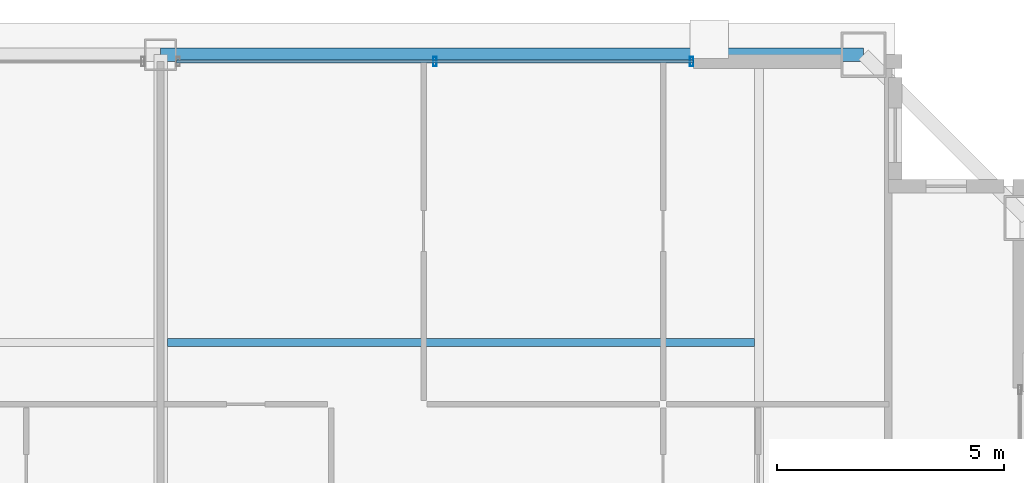
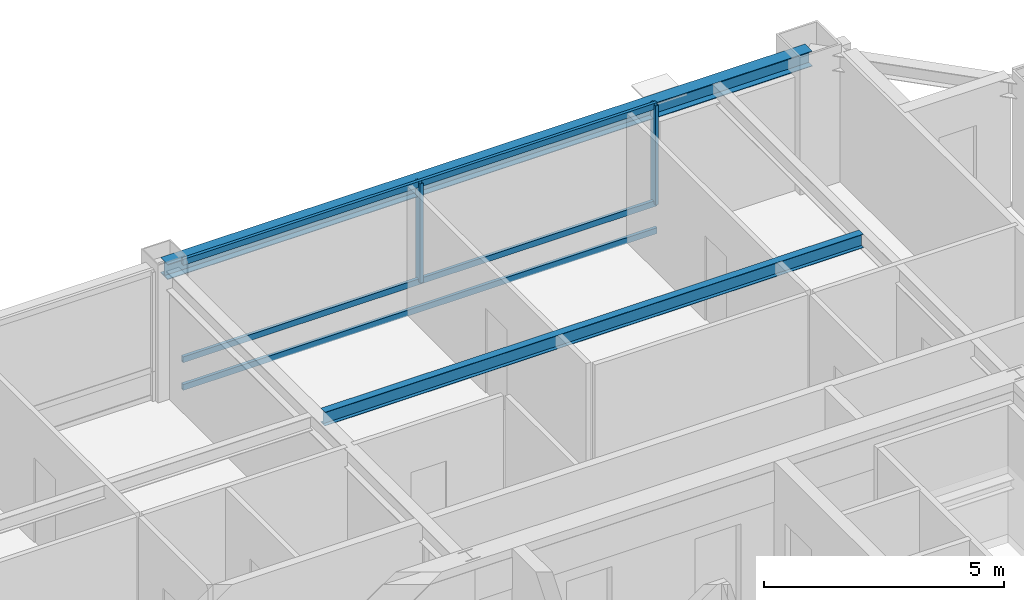
# One storey, part 19 of 35: 5 members, 2 beams, 1 element without a shape of its own.
"""IFC4 building model written with IfcOpenShell, lengths in metres."""

import ifcopenshell
import ifcopenshell.guid

model = None  # the IFC model being written
_history = None  # IfcOwnerHistory: only IFC2X3 demands one
_inside = {}  # id of a spatial element -> (the spatial element, [elements in it])
_under = {}  # id of a project, library or spatial element -> (it, [spatial elements below it])
_declared = {}  # id of a project -> (the project, [libraries it declares])
_typed = {}  # id of a type object -> (the type object, [elements of that type])
_made_of = {}  # id of a material, layer set ... -> (it, [elements and type objects made of it])


def new_model(schema):
    """Start an empty IFC model of exactly this schema.

    Asked for "IFC4X3", IfcOpenShell would pick the latest addendum, in which some entities
    have other attributes; the version numbers below select the first issue.
    IFC2X3 requires an IfcOwnerHistory on every rooted entity: one is made here for all.
    """
    global model, _history
    if schema == "IFC4X3":
        model = ifcopenshell.file(schema_version=(4, 3, 0, 0))
    else:
        model = ifcopenshell.file(schema=schema)
    _inside.clear()
    _under.clear()
    _declared.clear()
    _typed.clear()
    _made_of.clear()
    _history = None
    if model.schema == "IFC2X3":
        org = make("IfcOrganization", Name="unknown")
        user = make(
            "IfcPersonAndOrganization",
            ThePerson=make("IfcPerson", FamilyName="unknown"),
            TheOrganization=org,
        )
        app = make(
            "IfcApplication",
            ApplicationDeveloper=org,
            Version="unknown",
            ApplicationFullName="unknown",
            ApplicationIdentifier="unknown",
        )
        _history = make(
            "IfcOwnerHistory",
            OwningUser=user,
            OwningApplication=app,
            ChangeAction="ADDED",
            CreationDate=0,
        )
    return model


def make(cls, **values):
    """One entity of the class cls with the attributes given. An attribute that is None is left unset."""
    return model.create_entity(
        cls, **{name: value for name, value in values.items() if value is not None}
    )


def rooted(cls, **values):
    """An entity with a GlobalId (a new one), such as an element, a storey or a relation."""
    return make(cls, GlobalId=ifcopenshell.guid.new(), OwnerHistory=_history, **values)


def si_unit(unit_type, name, prefix=None):
    """IfcSIUnit, for example si_unit("LENGTHUNIT", "METRE", prefix="MILLI")."""
    return make("IfcSIUnit", UnitType=unit_type, Prefix=prefix, Name=name)


def assignment(units):
    """IfcUnitAssignment: the units of a project."""
    return None if units is None else make("IfcUnitAssignment", Units=units)


def point(xyz):
    """IfcCartesianPoint."""
    return None if xyz is None else make("IfcCartesianPoint", Coordinates=xyz)


def direction(xyz):
    """IfcDirection."""
    return None if xyz is None else make("IfcDirection", DirectionRatios=xyz)


def frame(location, z_axis=None, x_axis=None):
    """IfcAxis2Placement3D, a coordinate frame: its origin and axes. An axis left out is left unset."""
    return make(
        "IfcAxis2Placement3D",
        Location=point(location),
        Axis=direction(z_axis),
        RefDirection=direction(x_axis),
    )


def frame_2d(location, x_axis=None):
    """IfcAxis2Placement2D, a coordinate frame in the plane: its origin and x axis."""
    return make(
        "IfcAxis2Placement2D", Location=point(location), RefDirection=direction(x_axis)
    )


def origin():
    """The frame at (0, 0, 0) with its axes left unset."""
    return frame((0.0, 0.0, 0.0))


def origin_2d():
    """The frame at (0, 0) in the plane with its x axis left unset."""
    return frame_2d((0.0, 0.0))


def place(relative_to, where):
    """IfcLocalPlacement: puts the frame where relative to a parent placement (None: the world)."""
    return make(
        "IfcLocalPlacement", PlacementRelTo=relative_to, RelativePlacement=where
    )


def context(
    kind, dimensions, precision=None, world=None, true_north=None, identifier=None
):
    """IfcGeometricRepresentationContext, for example the 3D "Model" context."""
    return make(
        "IfcGeometricRepresentationContext",
        ContextIdentifier=identifier,
        ContextType=kind,
        CoordinateSpaceDimension=dimensions,
        Precision=precision,
        WorldCoordinateSystem=world,
        TrueNorth=true_north,
    )


def subcontext(parent, identifier, kind, view, scale=None):
    """IfcGeometricRepresentationSubContext, for example "Body" below "Model"."""
    return make(
        "IfcGeometricRepresentationSubContext",
        ContextIdentifier=identifier,
        ContextType=kind,
        ParentContext=parent,
        TargetScale=scale,
        TargetView=view,
    )


def project(units=None, contexts=None):
    """IfcProject with its units and contexts."""
    return rooted(
        "IfcProject",
        Name="project",
        RepresentationContexts=contexts,
        UnitsInContext=assignment(units),
    )


def spatial(cls, under=None, at=None, **own):
    """A site, building, storey or space (cls), placed at a placement, below another one or the project."""
    s = rooted(cls, ObjectPlacement=at, **own)
    if under is not None:
        _under.setdefault(under.id(), (under, []))[1].append(s)
    return s


def profile(cls, at=None, kind="AREA", **sizes):
    """A parametric profile (cls). Its sizes go by their IFC names, for example OverallWidth=200.0."""
    return make(cls, ProfileType=kind, Position=at, **sizes)


def hollow_rectangle(**sizes):
    """IfcRectangleHollowProfileDef."""
    return profile("IfcRectangleHollowProfileDef", **sizes)


def i_section(**sizes):
    """IfcIShapeProfileDef."""
    return profile("IfcIShapeProfileDef", **sizes)


def extrude(swept, where, along, depth):
    """IfcExtrudedAreaSolid: the profile swept, set in the frame where, extruded along a direction by depth."""
    return make(
        "IfcExtrudedAreaSolid",
        SweptArea=swept,
        Position=where,
        ExtrudedDirection=direction(along),
        Depth=depth,
    )


def shape(context_of_items, identifier, shape_type, items):
    """IfcShapeRepresentation: the items that make up one representation, for example the "Body"."""
    return make(
        "IfcShapeRepresentation",
        ContextOfItems=context_of_items,
        RepresentationIdentifier=identifier,
        RepresentationType=shape_type,
        Items=items,
    )


def source(mapping_origin, context_of_items, identifier, shape_type, items):
    """IfcRepresentationMap: a shape defined once, which mapped items show again and again."""
    return make(
        "IfcRepresentationMap",
        MappingOrigin=mapping_origin,
        MappedRepresentation=shape(context_of_items, identifier, shape_type, items),
    )


def transform(
    local_origin,
    x_axis=None,
    y_axis=None,
    z_axis=None,
    scale=None,
    scale2=None,
    scale3=None,
    uniform=True,
):
    """IfcCartesianTransformationOperator3D, or its non-uniform kind. x_axis, y_axis, z_axis: its Axis1, 2, 3."""
    if uniform:
        return make(
            "IfcCartesianTransformationOperator3D",
            Axis1=direction(x_axis),
            Axis2=direction(y_axis),
            LocalOrigin=point(local_origin),
            Scale=scale,
            Axis3=direction(z_axis),
        )
    return make(
        "IfcCartesianTransformationOperator3DnonUniform",
        Axis1=direction(x_axis),
        Axis2=direction(y_axis),
        LocalOrigin=point(local_origin),
        Scale=scale,
        Axis3=direction(z_axis),
        Scale2=scale2,
        Scale3=scale3,
    )


def mapped(mapping_source, mapping_target):
    """IfcMappedItem: shows the shape of a source again, moved by a transform."""
    return make(
        "IfcMappedItem", MappingSource=mapping_source, MappingTarget=mapping_target
    )


def material(Name=None, Category=None):
    """IfcMaterial."""
    return make("IfcMaterial", Name=Name, Category=Category)


def layer(
    of_material, thickness, ventilated=None, Name=None, Category=None, Priority=None
):
    """IfcMaterialLayer: one layer of a wall or slab, of a material (None: an air gap)."""
    return make(
        "IfcMaterialLayer",
        Material=of_material,
        LayerThickness=thickness,
        IsVentilated=ventilated,
        Name=Name,
        Category=Category,
        Priority=Priority,
    )


def layer_set(layers, Name=None):
    """IfcMaterialLayerSet."""
    return make("IfcMaterialLayerSet", MaterialLayers=layers, LayerSetName=Name)


def material_profile(
    of_material, cross_section, Name=None, Category=None, Priority=None
):
    """IfcMaterialProfile: a cross section and its material."""
    return make(
        "IfcMaterialProfile",
        Name=Name,
        Material=of_material,
        Profile=cross_section,
        Priority=Priority,
        Category=Category,
    )


def profile_set(profiles, Name=None, composite=None):
    """IfcMaterialProfileSet."""
    return make(
        "IfcMaterialProfileSet",
        Name=Name,
        MaterialProfiles=profiles,
        CompositeProfile=composite,
    )


def made_of(thing, what):
    """Note that an element or type object is made of a material, layer set ...; save() writes the relation."""
    if what is not None:
        _made_of.setdefault(what.id(), (what, []))[1].append(thing)
    return thing


def type_object(cls, material=None, **own):
    """A type object (cls), such as IfcWallType, which elements share."""
    return made_of(rooted(cls, **own), material)


def element(
    cls,
    number,
    at=None,
    inside=None,
    cuts=None,
    type_object=None,
    material=None,
    context=None,
    identifier="Body",
    shape_type=None,
    held_by="IfcProductDefinitionShape",
    body=None,
    shapes=None,
    **own,
):
    """One element of the class cls, such as IfcWall. Its Tag is "e" and its number.

    at: its placement. inside: the storey or other place that contains it. cuts: it is an
    opening in that element (IfcRelVoidsElement). A single representation is given by context,
    identifier, shape_type and body (its items); several are given by shapes. held_by: the class
    of the entity that holds the representations. save() writes the other relations.
    """
    e = rooted(cls, Tag="e%d" % number, ObjectPlacement=at, **own)
    if body is not None:
        shapes = [shape(context, identifier, shape_type, body)]
    if shapes is not None:
        e.Representation = make(held_by, Representations=shapes)
    if inside is not None:
        _inside.setdefault(inside.id(), (inside, []))[1].append(e)
    if cuts is not None:
        rooted(
            "IfcRelVoidsElement", RelatingBuildingElement=cuts, RelatedOpeningElement=e
        )
    if type_object is not None:
        _typed.setdefault(type_object.id(), (type_object, []))[1].append(e)
    return made_of(e, material)


def aggregate(whole, parts):
    """IfcRelAggregates: a whole, such as a stair, and the parts it consists of."""
    return rooted("IfcRelAggregates", RelatingObject=whole, RelatedObjects=parts)


def save(model, path):
    """Write the relations noted so far, then the file.

    IfcRelAggregates (storeys below a building ...), IfcRelContainedInSpatialStructure (elements
    in a storey), IfcRelDefinesByType, IfcRelAssociatesMaterial and IfcRelDeclares: one each for
    every whole, place, type object, material and project.
    """
    for whole, parts in _under.values():
        aggregate(whole, parts)
    for where, things in _inside.values():
        rooted(
            "IfcRelContainedInSpatialStructure",
            RelatedElements=things,
            RelatingStructure=where,
        )
    for kind, things in _typed.values():
        rooted("IfcRelDefinesByType", RelatedObjects=things, RelatingType=kind)
    for what, things in _made_of.values():
        rooted("IfcRelAssociatesMaterial", RelatedObjects=things, RelatingMaterial=what)
    for by, libraries in _declared.values():
        rooted("IfcRelDeclares", RelatingContext=by, RelatedDefinitions=libraries)
    model.write(path)


model = new_model("IFC4")

# Units and contexts
model_context = context("Model", 3, precision=1e-05, world=origin(), true_north=direction((0.0, 1.0)))
body_context = subcontext(model_context, "Body", "Model", "MODEL_VIEW")
ifc_project = project(units=[si_unit("LENGTHUNIT", "METRE"), si_unit("AREAUNIT", "SQUARE_METRE"), si_unit("VOLUMEUNIT", "CUBIC_METRE"), si_unit("PLANEANGLEUNIT", "RADIAN"), si_unit("MASSUNIT", "GRAM", prefix="KILO"), si_unit("THERMODYNAMICTEMPERATUREUNIT", "KELVIN"), si_unit("POWERUNIT", "WATT")], contexts=[model_context])

# Site, building, storey
site_placement = place(None, origin())
site = spatial("IfcSite", under=ifc_project, at=site_placement, CompositionType="ELEMENT")
building_placement = place(site_placement, origin())
building = spatial("IfcBuilding", under=site, at=building_placement, Name="Yuzanri Waterfront Tower", CompositionType="ELEMENT")
storey_placement = place(building_placement, frame((0.0, 0.0, 311.199951171875)))
storey = spatial("IfcBuildingStorey", under=building, at=storey_placement, Name="L83", CompositionType="ELEMENT", Elevation=311.199951171875)

# Beams
ifc_material_1 = material(Name="Steel Q355B", Category="steel")
ifc_material_profile_1 = material_profile(ifc_material_1, i_section(OverallWidth=0.175048828125, OverallDepth=0.35009765625, WebThickness=0.007080078125, FlangeThickness=0.010986328125, at=origin_2d()), Name="HN 350x175x7x11")
ifc_profile_set_1 = profile_set([ifc_material_profile_1], Name="Steel Q355B")
beam_type_1 = type_object("IfcBeamType", Name="Floor Joist Q355B HN 350x175", PredefinedType="JOIST", material=ifc_profile_set_1)
shared_shape_1 = source(origin(), body_context, "Body", "SweptSolid", [
    extrude(i_section(OverallWidth=0.175048828125, OverallDepth=0.35009765625, WebThickness=0.007080078125, FlangeThickness=0.010986328125, at=origin_2d()), origin(), (0.0, 0.0, 1.0), 12.9501953125),
])
beam_1_placement = place(storey_placement, frame((37.14990234375, 38.550048828125, 3.10498046875), z_axis=(1.0, 0.0, 0.0), x_axis=(0.0, 1.0, 0.0)))
element("IfcBeam", 1, at=beam_1_placement, inside=storey, type_object=beam_type_1, Name="L83 North Bay Joist E", PredefinedType="JOIST", context=body_context, shape_type="MappedRepresentation", body=[
    mapped(shared_shape_1, transform((0.0, 0.0, 0.0), scale=1.0)),
])
ifc_material_2 = material(Name="Steel Q355B", Category="steel")
ifc_material_profile_2 = material_profile(ifc_material_2, i_section(OverallWidth=0.300048828125, OverallDepth=0.389892578125, WebThickness=0.010009765625, FlangeThickness=0.01611328125, at=origin_2d()), Name="HM 390x300x10x16")
ifc_profile_set_2 = profile_set([ifc_material_profile_2], Name="Steel Q355B")
beam_type_2 = type_object("IfcBeamType", Name="Perimeter Spandrel Q355B HM 390x300", PredefinedType="SPANDREL", material=ifc_profile_set_2)
shared_shape_2 = source(origin(), body_context, "Body", "SweptSolid", [
    extrude(i_section(OverallWidth=0.300048828125, OverallDepth=0.389892578125, WebThickness=0.010009765625, FlangeThickness=0.01611328125, at=origin_2d()), origin(), (0.0, 0.0, 1.0), 15.5),
])
beam_2_placement = place(storey_placement, frame((52.5, 44.89990234375, 3.0849609375), z_axis=(-1.0, 0.0, 0.0), x_axis=(0.0, -1.0, 0.0)))
element("IfcBeam", 2, at=beam_2_placement, inside=storey, type_object=beam_type_2, Name="L83 Perimeter Spandrel N3-N2", PredefinedType="SPANDREL", context=body_context, shape_type="MappedRepresentation", body=[
    mapped(shared_shape_2, transform((0.0, 0.0, 0.0), scale=1.0)),
])

# Curtain wall, members
ifc_material_3 = material(Name="Anodized Architectural Bronze", Category="metal")
ifc_layer = layer(ifc_material_3, 0.159912109375)
ifc_layer_set = layer_set([ifc_layer], Name="Anodized Architectural Bronze")
curtain_wall_type = type_object("IfcCurtainWallType", Name="Anodized Bronze High-Rise Penthouse High-Wind Unitized Curtain Wall 6900", PredefinedType="NOTDEFINED", material=ifc_layer_set)
curtain_wall_placement = place(storey_placement, origin())
curtain_wall = element("IfcCurtainWall", 3, at=curtain_wall_placement, inside=storey, type_object=curtain_wall_type, Name="L83 Curtain Wall CW-L83-NR", PredefinedType="NOTDEFINED")
ifc_material_4 = material(Name="Anodized Architectural Bronze", Category="metal")
ifc_material_profile_3 = material_profile(ifc_material_4, hollow_rectangle(XDim=0.074951171875, YDim=0.199951171875, WallThickness=0.00390625, at=origin_2d()), Name="CWM 75x200")
ifc_profile_set_3 = profile_set([ifc_material_profile_3], Name="Anodized Architectural Bronze")
member_type_1 = type_object("IfcMemberType", Name="Anodized Bronze Primary Curtain-Wall Mullion 75x200", PredefinedType="MULLION", material=ifc_profile_set_3)
shared_shape_3 = source(origin(), body_context, "Body", "SweptSolid", [
    extrude(hollow_rectangle(XDim=0.074951171875, YDim=0.199951171875, WallThickness=0.00390625, at=origin_2d()), origin(), (0.0, 0.0, 1.0), 2.52392578125),
])
member_1_placement = place(storey_placement, frame((43.050048828125, 44.75, 0.756103515625), z_axis=(0.0, 0.0, 1.0), x_axis=(1.0, 0.0, 0.0)))
member_1 = element("IfcMember", 4, at=member_1_placement, type_object=member_type_1, Name="CW-L83-NR Upper Mullion 01", PredefinedType="MULLION", context=body_context, shape_type="MappedRepresentation", body=[
    mapped(shared_shape_3, transform((0.0, 0.0, 0.0), scale=1.0)),
])
member_2_placement = place(storey_placement, frame((48.7099609375, 44.75, 0.756103515625), z_axis=(0.0, 0.0, 1.0), x_axis=(1.0, 0.0, 0.0)))
member_2 = element("IfcMember", 5, at=member_2_placement, type_object=member_type_1, Name="CW-L83-NR Upper Mullion 02", PredefinedType="MULLION", context=body_context, shape_type="MappedRepresentation", body=[
    mapped(shared_shape_3, transform((0.0, 0.0, 0.0), scale=1.0)),
])
ifc_material_5 = material(Name="Anodized Architectural Bronze", Category="metal")
ifc_material_profile_4 = material_profile(ifc_material_5, hollow_rectangle(XDim=0.074951171875, YDim=0.14990234375, WallThickness=0.00390625, at=origin_2d()), Name="CWT 75x150")
ifc_profile_set_4 = profile_set([ifc_material_profile_4], Name="Anodized Architectural Bronze")
member_type_2 = type_object("IfcMemberType", Name="Anodized Bronze Primary Curtain-Wall Transom 75x150", PredefinedType="USERDEFINED", material=ifc_profile_set_4)
shared_shape_4 = source(origin(), body_context, "Body", "SweptSolid", [
    extrude(hollow_rectangle(XDim=0.074951171875, YDim=0.14990234375, WallThickness=0.00390625, at=origin_2d()), origin(), (0.0, 0.0, 1.0), 11.39990234375),
])
member_3_placement = place(storey_placement, frame((37.35009765625, 44.75, 0.050048828125), z_axis=(1.0, 0.0, 0.0), x_axis=(0.0, 1.0, 0.0)))
member_3 = element("IfcMember", 6, at=member_3_placement, type_object=member_type_2, Name="CW-L83-NR Transom 1", ObjectType="TRANSOM", PredefinedType="USERDEFINED", context=body_context, shape_type="MappedRepresentation", body=[
    mapped(shared_shape_4, transform((0.0, 0.0, 0.0), scale=1.0)),
])
member_4_placement = place(storey_placement, frame((37.35009765625, 44.75, 0.754150390625), z_axis=(1.0, 0.0, 0.0), x_axis=(0.0, 1.0, 0.0)))
member_4 = element("IfcMember", 7, at=member_4_placement, type_object=member_type_2, Name="CW-L83-NR Transom 2", ObjectType="TRANSOM", PredefinedType="USERDEFINED", context=body_context, shape_type="MappedRepresentation", body=[
    mapped(shared_shape_4, transform((0.0, 0.0, 0.0), scale=1.0)),
])
member_5_placement = place(storey_placement, frame((37.35009765625, 44.75, 3.22998046875), z_axis=(1.0, 0.0, 0.0), x_axis=(0.0, 1.0, 0.0)))
member_5 = element("IfcMember", 8, at=member_5_placement, type_object=member_type_2, Name="CW-L83-NR Transom 3", ObjectType="TRANSOM", PredefinedType="USERDEFINED", context=body_context, shape_type="MappedRepresentation", body=[
    mapped(shared_shape_4, transform((0.0, 0.0, 0.0), scale=1.0)),
])
aggregate(curtain_wall, [member_1, member_2, member_3, member_4, member_5])

save(model, "model.ifc")
